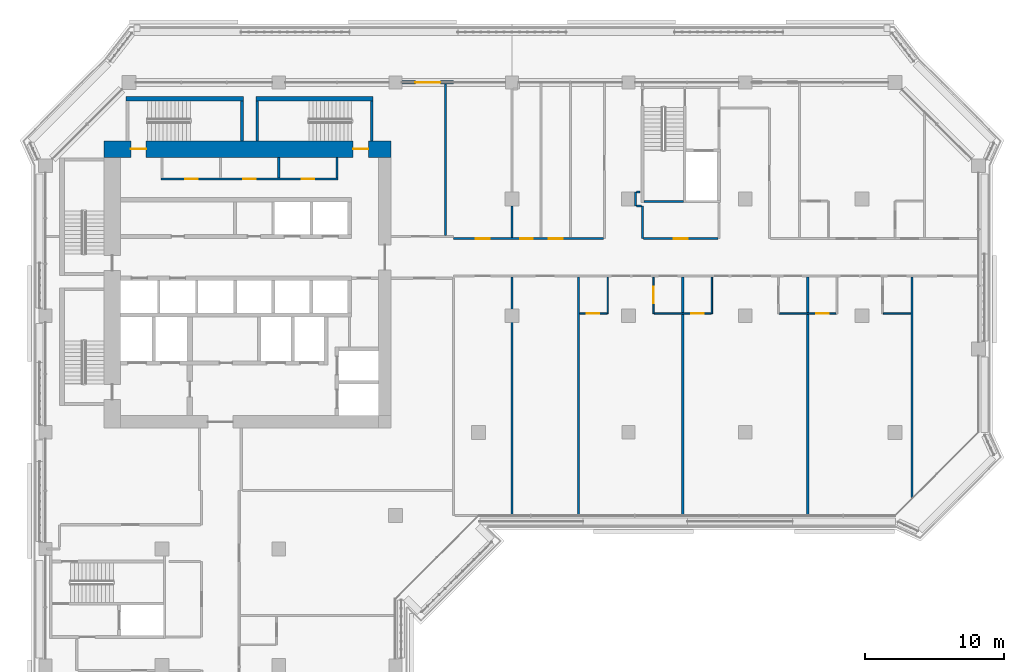
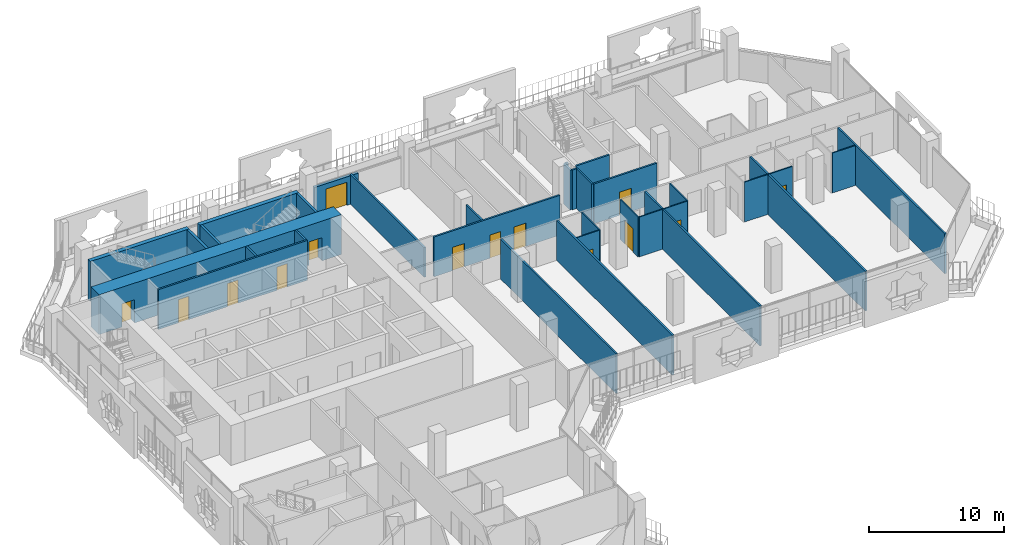
# One storey, part 12 of 22: 31 walls, 14 doors, 14 openings.
"""IFC4 building model written with IfcOpenShell, lengths in metres."""

from ifc_helpers import new_model, si_unit, direction, frame, frame_2d, origin, place, context, subcontext, project, spatial, rectangle, extrude, material, layer, layer_set, type_object, element, fill, save


model = new_model("IFC4")

# Units and contexts
model_context = context("Model", 3, precision=1e-05, world=origin(), true_north=direction((0.0, 1.0)))
body_context = subcontext(model_context, "Body", "Model", "MODEL_VIEW")
ifc_project = project(units=[si_unit("LENGTHUNIT", "METRE"), si_unit("AREAUNIT", "SQUARE_METRE"), si_unit("VOLUMEUNIT", "CUBIC_METRE"), si_unit("PLANEANGLEUNIT", "RADIAN"), si_unit("MASSUNIT", "GRAM", prefix="KILO")], contexts=[model_context])

# Site, building, storey
site_placement = place(None, origin())
site = spatial("IfcSite", under=ifc_project, at=site_placement, CompositionType="ELEMENT")
building_placement = place(site_placement, origin())
building = spatial("IfcBuilding", under=site, at=building_placement, Name="Kawkab Arch Medical Tower", CompositionType="ELEMENT")
storey_placement = place(building_placement, frame((0.0, 0.0, 187.800048828125)))
storey = spatial("IfcBuildingStorey", under=building, at=storey_placement, Name="L43", CompositionType="ELEMENT", Elevation=187.800048828125)

# Wall, openings, doors
ifc_material_1 = material(Name="Concrete C55/67", Category="concrete")
ifc_layer_1 = layer(ifc_material_1, 1.199951171875)
ifc_layer_set_1 = layer_set([ifc_layer_1], Name="Concrete C55/67")
wall_type_1 = type_object("IfcWallType", Name="Core ring wall 1200 C55/67", PredefinedType="SHEAR", material=ifc_layer_set_1)
wall_1_placement = place(storey_placement, frame((4.199951171875, -4.800048828125, 0.0), z_axis=(0.0, 0.0, 1.0), x_axis=(1.0, 0.0, 0.0)))
wall_1 = element("IfcWall", 1, at=wall_1_placement, inside=storey, type_object=wall_type_1, Name="L43 core wall", PredefinedType="SHEAR", context=body_context, shape_type="SweptSolid", body=[
    extrude(rectangle(XDim=20.699951171875, YDim=1.199951171875, at=frame_2d((10.35009765625, 0.0))), origin(), (0.0, 0.0, 1.0), 3.599853515625),
])
opening_1_placement = place(wall_1_placement, frame((1.949951171875, 0.0, 0.0)))
opening_1 = element("IfcOpeningElement", 2, at=opening_1_placement, cuts=wall_1, Name="Opening SD", PredefinedType="OPENING", context=body_context, shape_type="SweptSolid", body=[
    extrude(rectangle(XDim=1.10009765625, YDim=2.10009765625, at=frame_2d((0.550048828125, 1.050048828125))), frame((0.0, 0.60986328125, 0.0), z_axis=(0.0, -1.0, 0.0), x_axis=(1.0, 0.0, 0.0)), (0.0, 0.0, 1.0), 1.219970703125),
])
opening_2_placement = place(wall_1_placement, frame((17.949951171875, 0.0, 0.0)))
opening_2 = element("IfcOpeningElement", 3, at=opening_2_placement, cuts=wall_1, Name="Opening SD", PredefinedType="OPENING", context=body_context, shape_type="SweptSolid", body=[
    extrude(rectangle(XDim=1.10009765625, YDim=2.10009765625, at=frame_2d((0.550048828125, 1.050048828125))), frame((0.0, 0.60986328125, 0.0), z_axis=(0.0, -1.0, 0.0), x_axis=(1.0, 0.0, 0.0)), (0.0, 0.0, 1.0), 1.219970703125),
])
ifc_material_2 = material(Name="Hollow metal fire door leaf")
door_type_1 = type_object("IfcDoorType", Name="Exit stair door 1100", OperationType="SINGLE_SWING_LEFT", PredefinedType="DOOR", material=ifc_material_2)
door_1_placement = place(opening_1_placement, origin())
door_1 = element("IfcDoor", 4, at=door_1_placement, inside=storey, type_object=door_type_1, Name="L43 Exit stair ST3 door", OperationType="SINGLE_SWING_LEFT", OverallHeight=2.10009765625, OverallWidth=1.10009765625, PredefinedType="DOOR", context=body_context, shape_type="SweptSolid", body=[
    extrude(rectangle(XDim=1.10009765625, YDim=2.10009765625, at=frame_2d((0.550048828125, 1.050048828125))), frame((0.0, 0.02490234375, 0.0), z_axis=(0.0, -1.0, 0.0), x_axis=(1.0, 0.0, 0.0)), (0.0, 0.0, 1.0), 0.050048828125),
])
fill(opening_1, door_1)
door_2_placement = place(opening_2_placement, origin())
door_2 = element("IfcDoor", 5, at=door_2_placement, inside=storey, type_object=door_type_1, Name="L43 Exit stair ST4 door", OperationType="SINGLE_SWING_LEFT", OverallHeight=2.10009765625, OverallWidth=1.10009765625, PredefinedType="DOOR", context=body_context, shape_type="SweptSolid", body=[
    extrude(rectangle(XDim=1.10009765625, YDim=2.10009765625, at=frame_2d((0.550048828125, 1.050048828125))), frame((0.0, 0.02490234375, 0.0), z_axis=(0.0, -1.0, 0.0), x_axis=(1.0, 0.0, 0.0)), (0.0, 0.0, 1.0), 0.050048828125),
])
fill(opening_2, door_2)

ifc_material_3 = material(Name="Gypsum board on steel studs", Category="steel")
ifc_layer_2 = layer(ifc_material_3, 0.14990234375)
ifc_layer_set_2 = layer_set([ifc_layer_2], Name="Gypsum board on steel studs")
wall_type_2 = type_object("IfcWallType", Name="Core room partition 150", PredefinedType="PARTITIONING", material=ifc_layer_set_2)
wall_2_placement = place(storey_placement, frame((8.324951171875, -6.949951171875, 0.0), z_axis=(0.0, 0.0, 1.0), x_axis=(1.0, 0.0, 0.0)))
wall_2 = element("IfcWall", 6, at=wall_2_placement, inside=storey, type_object=wall_type_2, Name="L43 core room partition", PredefinedType="PARTITIONING", context=body_context, shape_type="SweptSolid", body=[
    extrude(rectangle(XDim=12.75, YDim=0.14990234375, at=frame_2d((6.375, 0.0))), origin(), (0.0, 0.0, 1.0), 3.599853515625),
])
opening_3_placement = place(wall_2_placement, frame((1.72509765625, 0.0, 0.0)))
opening_3 = element("IfcOpeningElement", 7, at=opening_3_placement, cuts=wall_2, Name="Opening RD", PredefinedType="OPENING", context=body_context, shape_type="SweptSolid", body=[
    extrude(rectangle(XDim=0.89990234375, YDim=2.10009765625, at=frame_2d((0.449951171875, 1.050048828125))), frame((0.0, 0.0849609375, 0.0), z_axis=(0.0, -1.0, 0.0), x_axis=(1.0, 0.0, 0.0)), (0.0, 0.0, 1.0), 0.169921875),
])
opening_4_placement = place(wall_2_placement, frame((5.925048828125, 0.0, 0.0)))
opening_4 = element("IfcOpeningElement", 8, at=opening_4_placement, cuts=wall_2, Name="Opening RD", PredefinedType="OPENING", context=body_context, shape_type="SweptSolid", body=[
    extrude(rectangle(XDim=0.89990234375, YDim=2.10009765625, at=frame_2d((0.449951171875, 1.050048828125))), frame((0.0, 0.0849609375, 0.0), z_axis=(0.0, -1.0, 0.0), x_axis=(1.0, 0.0, 0.0)), (0.0, 0.0, 1.0), 0.169921875),
])
opening_5_placement = place(wall_2_placement, frame((10.125, 0.0, 0.0)))
opening_5 = element("IfcOpeningElement", 9, at=opening_5_placement, cuts=wall_2, Name="Opening RD", PredefinedType="OPENING", context=body_context, shape_type="SweptSolid", body=[
    extrude(rectangle(XDim=0.89990234375, YDim=2.10009765625, at=frame_2d((0.449951171875, 1.050048828125))), frame((0.0, 0.0849609375, 0.0), z_axis=(0.0, -1.0, 0.0), x_axis=(1.0, 0.0, 0.0)), (0.0, 0.0, 1.0), 0.169921875),
])
ifc_material_4 = material(Name="Hollow metal fire door leaf")
door_type_2 = type_object("IfcDoorType", Name="Core room door 900", OperationType="SINGLE_SWING_LEFT", PredefinedType="DOOR", material=ifc_material_4)
door_3_placement = place(opening_3_placement, origin())
door_3 = element("IfcDoor", 10, at=door_3_placement, inside=storey, type_object=door_type_2, Name="L43 Electrical riser room door", OperationType="SINGLE_SWING_LEFT", OverallHeight=2.10009765625, OverallWidth=0.89990234375, PredefinedType="DOOR", context=body_context, shape_type="SweptSolid", body=[
    extrude(rectangle(XDim=0.89990234375, YDim=2.10009765625, at=frame_2d((0.449951171875, 1.050048828125))), frame((0.0, 0.02490234375, 0.0), z_axis=(0.0, -1.0, 0.0), x_axis=(1.0, 0.0, 0.0)), (0.0, 0.0, 1.0), 0.050048828125),
])
fill(opening_3, door_3)
door_4_placement = place(opening_4_placement, origin())
door_4 = element("IfcDoor", 11, at=door_4_placement, inside=storey, type_object=door_type_2, Name="L43 Equipment store door", OperationType="SINGLE_SWING_LEFT", OverallHeight=2.10009765625, OverallWidth=0.89990234375, PredefinedType="DOOR", context=body_context, shape_type="SweptSolid", body=[
    extrude(rectangle(XDim=0.89990234375, YDim=2.10009765625, at=frame_2d((0.449951171875, 1.050048828125))), frame((0.0, 0.02490234375, 0.0), z_axis=(0.0, -1.0, 0.0), x_axis=(1.0, 0.0, 0.0)), (0.0, 0.0, 1.0), 0.050048828125),
])
fill(opening_4, door_4)
door_5_placement = place(opening_5_placement, origin())
door_5 = element("IfcDoor", 12, at=door_5_placement, inside=storey, type_object=door_type_2, Name="L43 Sprinkler valve room door", OperationType="SINGLE_SWING_LEFT", OverallHeight=2.10009765625, OverallWidth=0.89990234375, PredefinedType="DOOR", context=body_context, shape_type="SweptSolid", body=[
    extrude(rectangle(XDim=0.89990234375, YDim=2.10009765625, at=frame_2d((0.449951171875, 1.050048828125))), frame((0.0, 0.02490234375, 0.0), z_axis=(0.0, -1.0, 0.0), x_axis=(1.0, 0.0, 0.0)), (0.0, 0.0, 1.0), 0.050048828125),
])
fill(opening_5, door_5)

# Walls
for number, where, z_axis, x_axis, name in (
    (13, (16.800048828125, -6.875, 0.0), (0.0, 0.0, 1.0), (0.0, 1.0, 0.0), "L43 core room partition"),
    (14, (21.0, -6.875, 0.0), (0.0, 0.0, 1.0), (0.0, 1.0, 0.0), "L43 core room partition"),
):
    element("IfcWall", number, at=place(storey_placement, frame(where, z_axis=z_axis, x_axis=x_axis)), inside=storey, type_object=wall_type_2, Name=name, PredefinedType="PARTITIONING", context=body_context, shape_type="SweptSolid", body=[
        extrude(rectangle(XDim=1.47509765625, YDim=0.14990234375, at=frame_2d((0.737548828125, 0.0))), origin(), (0.0, 0.0, 1.0), 3.599853515625),
    ])

# Wall, opening, door
ifc_material_5 = material(Name="Bronze clad insulated wall panel")
ifc_layer_3 = layer(ifc_material_5, 0.25)
ifc_layer_set_3 = layer_set([ifc_layer_3], Name="Bronze clad insulated wall panel")
wall_type_3 = type_object("IfcWallType", Name="External wall bay 250", PredefinedType="SOLIDWALL", material=ifc_layer_set_3)
wall_3_placement = place(storey_placement, frame((29.39990234375, 0.0, 0.0), z_axis=(0.0, 0.0, 1.0), x_axis=(-1.0, 0.0, 0.0)))
wall_3 = element("IfcWall", 15, at=wall_3_placement, inside=storey, type_object=wall_type_3, Name="External wall bay L43.R11.4.2", PredefinedType="SOLIDWALL", context=body_context, shape_type="SweptSolid", body=[
    extrude(rectangle(XDim=3.724853515625, YDim=0.25, at=frame_2d((1.8623046875, 0.0))), origin(), (0.0, 0.0, 1.0), 2.579833984375),
])
opening_6_placement = place(wall_3_placement, frame((0.96240234375, 0.0, 0.0)))
opening_6 = element("IfcOpeningElement", 16, at=opening_6_placement, cuts=wall_3, Name="Opening W43-701", PredefinedType="OPENING", context=body_context, shape_type="SweptSolid", body=[
    extrude(rectangle(XDim=1.800048828125, YDim=2.10009765625, at=frame_2d((0.89990234375, 1.050048828125))), frame((0.0, 0.135009765625, 0.0), z_axis=(0.0, -1.0, 0.0), x_axis=(1.0, 0.0, 0.0)), (0.0, 0.0, 1.0), 0.27001953125),
])
ifc_material_6 = material(Name="Bronze anodised aluminium door with tinted glass", Category="aluminium")
door_type_3 = type_object("IfcDoorType", Name="Double external door 1800 x 2100", OperationType="DOUBLE_DOOR_SINGLE_SWING", PredefinedType="DOOR", material=ifc_material_6)
door_6_placement = place(opening_6_placement, origin())
door_6 = element("IfcDoor", 17, at=door_6_placement, inside=storey, type_object=door_type_3, Name="External door L43.R11.4.2", OperationType="DOUBLE_DOOR_SINGLE_SWING", OverallHeight=2.10009765625, OverallWidth=1.800048828125, PredefinedType="DOOR", context=body_context, shape_type="SweptSolid", body=[
    extrude(rectangle(XDim=1.800048828125, YDim=2.10009765625, at=frame_2d((0.89990234375, 1.050048828125))), frame((0.0, 0.02490234375, 0.0), z_axis=(0.0, -1.0, 0.0), x_axis=(1.0, 0.0, 0.0)), (0.0, 0.0, 1.0), 0.050048828125),
])
fill(opening_6, door_6)

ifc_material_7 = material(Name="Gypsum board partition on steel studs", Category="steel")
ifc_layer_4 = layer(ifc_material_7, 0.10009765625)
ifc_layer_set_4 = layer_set([ifc_layer_4], Name="Gypsum board partition on steel studs")
wall_type_4 = type_object("IfcWallType", Name="Partition 100", PredefinedType="PARTITIONING", material=ifc_layer_set_4)
wall_4_placement = place(storey_placement, frame((38.47509765625, -16.64990234375, 0.0), z_axis=(0.0, 0.0, 1.0), x_axis=(1.0, 0.0, 0.0)))
wall_4 = element("IfcWall", 18, at=wall_4_placement, inside=storey, type_object=wall_type_4, Name="Partition 100 w004", PredefinedType="PARTITIONING", context=body_context, shape_type="SweptSolid", body=[
    extrude(rectangle(XDim=1.974853515625, YDim=0.10009765625, at=frame_2d((0.9873046875, 0.0))), origin(), (0.0, 0.0, 1.0), 3.599853515625),
])
opening_7_placement = place(wall_4_placement, frame((0.52490234375, 0.0, 0.0)))
opening_7 = element("IfcOpeningElement", 19, at=opening_7_placement, cuts=wall_4, Name="Opening W43-004", PredefinedType="OPENING", context=body_context, shape_type="SweptSolid", body=[
    extrude(rectangle(XDim=0.89990234375, YDim=2.10009765625, at=frame_2d((0.449951171875, 1.050048828125))), frame((0.0, 0.06005859375, 0.0), z_axis=(0.0, -1.0, 0.0), x_axis=(1.0, 0.0, 0.0)), (0.0, 0.0, 1.0), 0.1201171875),
])
ifc_material_8 = material(Name="Timber door leaf", Category="wood")
door_type_4 = type_object("IfcDoorType", Name="Single door 900x2100", OperationType="NOTDEFINED", PredefinedType="DOOR", material=ifc_material_8)
door_7_placement = place(opening_7_placement, origin())
door_7 = element("IfcDoor", 20, at=door_7_placement, inside=storey, type_object=door_type_4, Name="Door W43-004", OperationType="SINGLE_SWING_LEFT", OverallHeight=2.10009765625, OverallWidth=0.89990234375, PredefinedType="DOOR", context=body_context, shape_type="SweptSolid", body=[
    extrude(rectangle(XDim=0.89990234375, YDim=2.10009765625, at=frame_2d((0.449951171875, 1.050048828125))), frame((0.0, 0.02490234375, 0.0), z_axis=(0.0, -1.0, 0.0), x_axis=(1.0, 0.0, 0.0)), (0.0, 0.0, 1.0), 0.050048828125),
])
fill(opening_7, door_7)

wall_5_placement = place(storey_placement, frame((43.85009765625, -16.64990234375, 0.0), z_axis=(0.0, 0.0, 1.0), x_axis=(1.0, 0.0, 0.0)))
wall_5 = element("IfcWall", 21, at=wall_5_placement, inside=storey, type_object=wall_type_4, Name="Partition 100 w005", PredefinedType="PARTITIONING", context=body_context, shape_type="SweptSolid", body=[
    extrude(rectangle(XDim=4.099853515625, YDim=0.10009765625, at=frame_2d((2.0498046875, 0.0))), origin(), (0.0, 0.0, 1.0), 3.599853515625),
])
opening_8_placement = place(wall_5_placement, frame((2.64990234375, 0.0, 0.0)))
opening_8 = element("IfcOpeningElement", 22, at=opening_8_placement, cuts=wall_5, Name="Opening W43-005", PredefinedType="OPENING", context=body_context, shape_type="SweptSolid", body=[
    extrude(rectangle(XDim=0.89990234375, YDim=2.10009765625, at=frame_2d((0.449951171875, 1.050048828125))), frame((0.0, 0.06005859375, 0.0), z_axis=(0.0, -1.0, 0.0), x_axis=(1.0, 0.0, 0.0)), (0.0, 0.0, 1.0), 0.1201171875),
])
door_8_placement = place(opening_8_placement, origin())
door_8 = element("IfcDoor", 23, at=door_8_placement, inside=storey, type_object=door_type_4, Name="Door W43-005", OperationType="SINGLE_SWING_LEFT", OverallHeight=2.10009765625, OverallWidth=0.89990234375, PredefinedType="DOOR", context=body_context, shape_type="SweptSolid", body=[
    extrude(rectangle(XDim=0.89990234375, YDim=2.10009765625, at=frame_2d((0.449951171875, 1.050048828125))), frame((0.0, 0.02490234375, 0.0), z_axis=(0.0, -1.0, 0.0), x_axis=(1.0, 0.0, 0.0)), (0.0, 0.0, 1.0), 0.050048828125),
])
fill(opening_8, door_8)

wall_6_placement = place(storey_placement, frame((52.85009765625, -16.64990234375, 0.0), z_axis=(0.0, 0.0, 1.0), x_axis=(1.0, 0.0, 0.0)))
wall_6 = element("IfcWall", 24, at=wall_6_placement, inside=storey, type_object=wall_type_4, Name="Partition 100 w006", PredefinedType="PARTITIONING", context=body_context, shape_type="SweptSolid", body=[
    extrude(rectangle(XDim=4.099853515625, YDim=0.10009765625, at=frame_2d((2.0498046875, 0.0))), origin(), (0.0, 0.0, 1.0), 3.599853515625),
])
opening_9_placement = place(wall_6_placement, frame((2.64990234375, 0.0, 0.0)))
opening_9 = element("IfcOpeningElement", 25, at=opening_9_placement, cuts=wall_6, Name="Opening W43-006", PredefinedType="OPENING", context=body_context, shape_type="SweptSolid", body=[
    extrude(rectangle(XDim=0.89990234375, YDim=2.10009765625, at=frame_2d((0.449951171875, 1.050048828125))), frame((0.0, 0.06005859375, 0.0), z_axis=(0.0, -1.0, 0.0), x_axis=(1.0, 0.0, 0.0)), (0.0, 0.0, 1.0), 0.1201171875),
])
door_9_placement = place(opening_9_placement, origin())
door_9 = element("IfcDoor", 26, at=door_9_placement, inside=storey, type_object=door_type_4, Name="Door W43-006", OperationType="SINGLE_SWING_LEFT", OverallHeight=2.10009765625, OverallWidth=0.89990234375, PredefinedType="DOOR", context=body_context, shape_type="SweptSolid", body=[
    extrude(rectangle(XDim=0.89990234375, YDim=2.10009765625, at=frame_2d((0.449951171875, 1.050048828125))), frame((0.0, 0.02490234375, 0.0), z_axis=(0.0, -1.0, 0.0), x_axis=(1.0, 0.0, 0.0)), (0.0, 0.0, 1.0), 0.050048828125),
])
fill(opening_9, door_9)

# Walls
wall_7_placement = place(storey_placement, frame((60.35009765625, -16.64990234375, 0.0), z_axis=(0.0, 0.0, 1.0), x_axis=(1.0, 0.0, 0.0)))
element("IfcWall", 27, at=wall_7_placement, inside=storey, type_object=wall_type_4, Name="Partition 100 w007", PredefinedType="PARTITIONING", context=body_context, shape_type="SweptSolid", body=[
    extrude(rectangle(XDim=1.974853515625, YDim=0.10009765625, at=frame_2d((0.9873046875, 0.0))), origin(), (0.0, 0.0, 1.0), 3.599853515625),
])
wall_8_placement = place(storey_placement, frame((40.5, -16.64990234375, 0.0), z_axis=(0.0, 0.0, 1.0), x_axis=(0.0, 1.0, 0.0)))
element("IfcWall", 28, at=wall_8_placement, inside=storey, type_object=wall_type_4, Name="Partition 100 w013", PredefinedType="PARTITIONING", context=body_context, shape_type="SweptSolid", body=[
    extrude(rectangle(XDim=2.625, YDim=0.10009765625, at=frame_2d((1.3125, 0.0))), origin(), (0.0, 0.0, 1.0), 3.599853515625),
])

# Wall, opening, door
wall_9_placement = place(storey_placement, frame((43.800048828125, -16.64990234375, 0.0), z_axis=(0.0, 0.0, 1.0), x_axis=(0.0, 1.0, 0.0)))
wall_9 = element("IfcWall", 29, at=wall_9_placement, inside=storey, type_object=wall_type_4, Name="Partition 100 w014", PredefinedType="PARTITIONING", context=body_context, shape_type="SweptSolid", body=[
    extrude(rectangle(XDim=2.625, YDim=0.10009765625, at=frame_2d((1.3125, 0.0))), origin(), (0.0, 0.0, 1.0), 3.599853515625),
])
opening_10_placement = place(wall_9_placement, frame((0.75, 0.0, 0.0)))
opening_10 = element("IfcOpeningElement", 30, at=opening_10_placement, cuts=wall_9, Name="Opening W43-031", PredefinedType="OPENING", context=body_context, shape_type="SweptSolid", body=[
    extrude(rectangle(XDim=1.199951171875, YDim=2.10009765625, at=frame_2d((0.60009765625, 1.050048828125))), frame((0.0, 0.06005859375, 0.0), z_axis=(0.0, -1.0, 0.0), x_axis=(1.0, 0.0, 0.0)), (0.0, 0.0, 1.0), 0.1201171875),
])
ifc_material_9 = material(Name="Timber door leaf", Category="wood")
door_type_5 = type_object("IfcDoorType", Name="Single door 1200x2100", OperationType="NOTDEFINED", PredefinedType="DOOR", material=ifc_material_9)
door_10_placement = place(opening_10_placement, origin())
door_10 = element("IfcDoor", 31, at=door_10_placement, inside=storey, type_object=door_type_5, Name="Door W43-031", OperationType="SINGLE_SWING_LEFT", OverallHeight=2.10009765625, OverallWidth=1.199951171875, PredefinedType="DOOR", context=body_context, shape_type="SweptSolid", body=[
    extrude(rectangle(XDim=1.199951171875, YDim=2.10009765625, at=frame_2d((0.60009765625, 1.050048828125))), frame((0.0, 0.02490234375, 0.0), z_axis=(0.0, -1.0, 0.0), x_axis=(1.0, 0.0, 0.0)), (0.0, 0.0, 1.0), 0.050048828125),
])
fill(opening_10, door_10)

# Wall
wall_10_placement = place(storey_placement, frame((48.0, -16.64990234375, 0.0), z_axis=(0.0, 0.0, 1.0), x_axis=(0.0, 1.0, 0.0)))
element("IfcWall", 32, at=wall_10_placement, inside=storey, type_object=wall_type_4, Name="Partition 100 w015", PredefinedType="PARTITIONING", context=body_context, shape_type="SweptSolid", body=[
    extrude(rectangle(XDim=2.625, YDim=0.10009765625, at=frame_2d((1.3125, 0.0))), origin(), (0.0, 0.0, 1.0), 3.599853515625),
])

# Wall, openings, doors
ifc_material_10 = material(Name="Gypsum board partition on steel studs, mineral wool", Category="steel")
ifc_layer_5 = layer(ifc_material_10, 0.14990234375)
ifc_layer_set_5 = layer_set([ifc_layer_5], Name="Gypsum board partition on steel studs, mineral wool")
wall_type_5 = type_object("IfcWallType", Name="Partition 150", PredefinedType="PARTITIONING", material=ifc_layer_set_5)
wall_11_placement = place(storey_placement, frame((29.39990234375, -11.25, 0.0), z_axis=(0.0, 0.0, 1.0), x_axis=(1.0, 0.0, 0.0)))
wall_11 = element("IfcWall", 33, at=wall_11_placement, inside=storey, type_object=wall_type_5, Name="Partition 150 w034", PredefinedType="PARTITIONING", context=body_context, shape_type="SweptSolid", body=[
    extrude(rectangle(XDim=10.781982421875, YDim=0.14990234375, at=frame_2d((5.39111328125, 0.0))), origin(), (0.0, 0.0, 1.0), 3.599853515625),
])
opening_11_placement = place(wall_11_placement, frame((1.60009765625, 0.0, 0.0)))
opening_11 = element("IfcOpeningElement", 34, at=opening_11_placement, cuts=wall_11, Name="Opening W43-012", PredefinedType="OPENING", context=body_context, shape_type="SweptSolid", body=[
    extrude(rectangle(XDim=1.0, YDim=2.10009765625, at=frame_2d((0.5, 1.050048828125))), frame((0.0, 0.0849609375, 0.0), z_axis=(0.0, -1.0, 0.0), x_axis=(1.0, 0.0, 0.0)), (0.0, 0.0, 1.0), 0.169921875),
])
opening_12_placement = place(wall_11_placement, frame((4.800048828125, 0.0, 0.0)))
opening_12 = element("IfcOpeningElement", 35, at=opening_12_placement, cuts=wall_11, Name="Opening W43-009", PredefinedType="OPENING", context=body_context, shape_type="SweptSolid", body=[
    extrude(rectangle(XDim=0.89990234375, YDim=2.10009765625, at=frame_2d((0.449951171875, 1.050048828125))), frame((0.0, 0.0849609375, 0.0), z_axis=(0.0, -1.0, 0.0), x_axis=(1.0, 0.0, 0.0)), (0.0, 0.0, 1.0), 0.169921875),
])
opening_13_placement = place(wall_11_placement, frame((6.85009765625, 0.0, 0.0)))
opening_13 = element("IfcOpeningElement", 36, at=opening_13_placement, cuts=wall_11, Name="Opening W43-011", PredefinedType="OPENING", context=body_context, shape_type="SweptSolid", body=[
    extrude(rectangle(XDim=1.0, YDim=2.10009765625, at=frame_2d((0.5, 1.050048828125))), frame((0.0, 0.0849609375, 0.0), z_axis=(0.0, -1.0, 0.0), x_axis=(1.0, 0.0, 0.0)), (0.0, 0.0, 1.0), 0.169921875),
])
ifc_material_11 = material(Name="Timber door leaf", Category="wood")
door_type_6 = type_object("IfcDoorType", Name="Single door 1000x2100", OperationType="NOTDEFINED", PredefinedType="DOOR", material=ifc_material_11)
door_11_placement = place(opening_13_placement, origin())
door_11 = element("IfcDoor", 37, at=door_11_placement, inside=storey, type_object=door_type_6, Name="Door W43-011", OperationType="SINGLE_SWING_RIGHT", OverallHeight=2.10009765625, OverallWidth=1.0, PredefinedType="DOOR", context=body_context, shape_type="SweptSolid", body=[
    extrude(rectangle(XDim=1.0, YDim=2.10009765625, at=frame_2d((0.5, 1.050048828125))), frame((0.0, 0.02490234375, 0.0), z_axis=(0.0, -1.0, 0.0), x_axis=(1.0, 0.0, 0.0)), (0.0, 0.0, 1.0), 0.050048828125),
])
fill(opening_13, door_11)
ifc_material_12 = material(Name="Hollow metal door leaf")
door_type_7 = type_object("IfcDoorType", Name="Single door 1000x2100 FD30S", OperationType="NOTDEFINED", PredefinedType="DOOR", material=ifc_material_12)
door_12_placement = place(opening_11_placement, origin())
door_12 = element("IfcDoor", 38, at=door_12_placement, inside=storey, type_object=door_type_7, Name="Door W43-012", OperationType="SINGLE_SWING_LEFT", OverallHeight=2.10009765625, OverallWidth=1.0, PredefinedType="DOOR", context=body_context, shape_type="SweptSolid", body=[
    extrude(rectangle(XDim=1.0, YDim=2.10009765625, at=frame_2d((0.5, 1.050048828125))), frame((0.0, 0.02490234375, 0.0), z_axis=(0.0, -1.0, 0.0), x_axis=(1.0, 0.0, 0.0)), (0.0, 0.0, 1.0), 0.050048828125),
])
fill(opening_11, door_12)
door_13_placement = place(opening_12_placement, origin())
door_13 = element("IfcDoor", 39, at=door_13_placement, inside=storey, type_object=door_type_4, Name="Door W43-009", OperationType="SINGLE_SWING_RIGHT", OverallHeight=2.10009765625, OverallWidth=0.89990234375, PredefinedType="DOOR", context=body_context, shape_type="SweptSolid", body=[
    extrude(rectangle(XDim=0.89990234375, YDim=2.10009765625, at=frame_2d((0.449951171875, 1.050048828125))), frame((0.0, 0.02490234375, 0.0), z_axis=(0.0, -1.0, 0.0), x_axis=(1.0, 0.0, 0.0)), (0.0, 0.0, 1.0), 0.050048828125),
])
fill(opening_12, door_13)

# Wall, opening, door
wall_12_placement = place(storey_placement, frame((43.074951171875, -11.25, 0.0), z_axis=(0.0, 0.0, 1.0), x_axis=(1.0, 0.0, 0.0)))
wall_12 = element("IfcWall", 40, at=wall_12_placement, inside=storey, type_object=wall_type_5, Name="Partition 150 w035", PredefinedType="PARTITIONING", context=body_context, shape_type="SweptSolid", body=[
    extrude(rectangle(XDim=5.375, YDim=0.14990234375, at=frame_2d((2.6875, 0.0))), origin(), (0.0, 0.0, 1.0), 3.599853515625),
])
opening_14_placement = place(wall_12_placement, frame((2.18798828125, 0.0, 0.0)))
opening_14 = element("IfcOpeningElement", 41, at=opening_14_placement, cuts=wall_12, Name="Opening W43-013", PredefinedType="OPENING", context=body_context, shape_type="SweptSolid", body=[
    extrude(rectangle(XDim=1.0, YDim=2.10009765625, at=frame_2d((0.5, 1.050048828125))), frame((0.0, 0.0849609375, 0.0), z_axis=(0.0, -1.0, 0.0), x_axis=(1.0, 0.0, 0.0)), (0.0, 0.0, 1.0), 0.169921875),
])
door_14_placement = place(opening_14_placement, origin())
door_14 = element("IfcDoor", 42, at=door_14_placement, inside=storey, type_object=door_type_7, Name="Door W43-013", OperationType="SINGLE_SWING_RIGHT", OverallHeight=2.10009765625, OverallWidth=1.0, PredefinedType="DOOR", context=body_context, shape_type="SweptSolid", body=[
    extrude(rectangle(XDim=1.0, YDim=2.10009765625, at=frame_2d((0.5, 1.050048828125))), frame((0.0, 0.02490234375, 0.0), z_axis=(0.0, -1.0, 0.0), x_axis=(1.0, 0.0, 0.0)), (0.0, 0.0, 1.0), 0.050048828125),
])
fill(opening_14, door_14)

# Walls
wall_13_placement = place(storey_placement, frame((42.576904296875, -8.89990234375, 0.0), z_axis=(0.0, 0.0, 1.0), x_axis=(1.0, 0.0, 0.0)))
element("IfcWall", 43, at=wall_13_placement, inside=storey, type_object=wall_type_5, Name="Partition 150 w039", PredefinedType="PARTITIONING", context=body_context, shape_type="SweptSolid", body=[
    extrude(rectangle(XDim=0.34619140625, YDim=0.14990234375, at=frame_2d((0.173095703125, 0.0))), origin(), (0.0, 0.0, 1.0), 3.599853515625),
])
wall_14_placement = place(storey_placement, frame((42.576904296875, -7.89990234375, 0.0), z_axis=(0.0, 0.0, 1.0), x_axis=(1.0, 0.0, 0.0)))
element("IfcWall", 44, at=wall_14_placement, inside=storey, type_object=wall_type_5, Name="Partition 150 w040", PredefinedType="PARTITIONING", context=body_context, shape_type="SweptSolid", body=[
    extrude(rectangle(XDim=0.2431640625, YDim=0.14990234375, at=frame_2d((0.12158203125, 0.0))), origin(), (0.0, 0.0, 1.0), 3.599853515625),
])
wall_15_placement = place(storey_placement, frame((28.800048828125, -11.02490234375, 0.0), z_axis=(0.0, 0.0, 1.0), x_axis=(0.0, 1.0, 0.0)))
element("IfcWall", 45, at=wall_15_placement, inside=storey, type_object=wall_type_5, Name="Partition 150 w051", PredefinedType="PARTITIONING", context=body_context, shape_type="SweptSolid", body=[
    extrude(rectangle(XDim=10.94482421875, YDim=0.14990234375, at=frame_2d((5.472412109375, 0.0))), origin(), (0.0, 0.0, 1.0), 2.699951171875),
])
wall_16_placement = place(storey_placement, frame((33.60009765625, -31.1201171875, 0.0), z_axis=(0.0, 0.0, 1.0), x_axis=(0.0, 1.0, 0.0)))
element("IfcWall", 46, at=wall_16_placement, inside=storey, type_object=wall_type_5, Name="Partition 150 w053", PredefinedType="PARTITIONING", context=body_context, shape_type="SweptSolid", body=[
    extrude(rectangle(XDim=17.09521484375, YDim=0.14990234375, at=frame_2d((8.547607421875, 0.0))), origin(), (0.0, 0.0, 1.0), 3.599853515625),
])
wall_17_placement = place(storey_placement, frame((33.60009765625, -11.175048828125, 0.0), z_axis=(0.0, 0.0, 1.0), x_axis=(0.0, 1.0, 0.0)))
element("IfcWall", 47, at=wall_17_placement, inside=storey, type_object=wall_type_5, Name="Partition 150 w054", PredefinedType="PARTITIONING", context=body_context, shape_type="SweptSolid", body=[
    extrude(rectangle(XDim=2.275146484375, YDim=0.14990234375, at=frame_2d((1.1376953125, 0.0))), origin(), (0.0, 0.0, 1.0), 3.599853515625),
])
wall_18_placement = place(storey_placement, frame((38.39990234375, -31.1201171875, 0.0), z_axis=(0.0, 0.0, 1.0), x_axis=(0.0, 1.0, 0.0)))
element("IfcWall", 48, at=wall_18_placement, inside=storey, type_object=wall_type_5, Name="Partition 150 w059", PredefinedType="PARTITIONING", context=body_context, shape_type="SweptSolid", body=[
    extrude(rectangle(XDim=17.09521484375, YDim=0.14990234375, at=frame_2d((8.547607421875, 0.0))), origin(), (0.0, 0.0, 1.0), 3.599853515625),
])
wall_19_placement = place(storey_placement, frame((42.5, -8.89892578125, 0.0), z_axis=(0.0, 0.0, 1.0), x_axis=(0.0, 1.0, 0.0)))
element("IfcWall", 49, at=wall_19_placement, inside=storey, type_object=wall_type_5, Name="Partition 150 w061", PredefinedType="PARTITIONING", context=body_context, shape_type="SweptSolid", body=[
    extrude(rectangle(XDim=0.996826171875, YDim=0.14990234375, at=frame_2d((0.49853515625, 0.0))), origin(), (0.0, 0.0, 1.0), 3.599853515625),
])
wall_20_placement = place(storey_placement, frame((43.0, -11.25, 0.0), z_axis=(0.0, 0.0, 1.0), x_axis=(0.0, 1.0, 0.0)))
element("IfcWall", 50, at=wall_20_placement, inside=storey, type_object=wall_type_5, Name="Partition 150 w062", PredefinedType="PARTITIONING", context=body_context, shape_type="SweptSolid", body=[
    extrude(rectangle(XDim=2.347900390625, YDim=0.14990234375, at=frame_2d((1.173828125, 0.0))), origin(), (0.0, 0.0, 1.0), 3.599853515625),
])
for number, where, z_axis, x_axis, name in (
    (51, (45.89990234375, -31.1201171875, 0.0), (0.0, 0.0, 1.0), (0.0, 1.0, 0.0), "Partition 150 w064"),
    (52, (54.89990234375, -31.1201171875, 0.0), (0.0, 0.0, 1.0), (0.0, 1.0, 0.0), "Partition 150 w068"),
):
    element("IfcWall", number, at=place(storey_placement, frame(where, z_axis=z_axis, x_axis=x_axis)), inside=storey, type_object=wall_type_5, Name=name, PredefinedType="PARTITIONING", context=body_context, shape_type="SweptSolid", body=[
        extrude(rectangle(XDim=17.09521484375, YDim=0.14990234375, at=frame_2d((8.547607421875, 0.0))), origin(), (0.0, 0.0, 1.0), 3.599853515625),
    ])
wall_21_placement = place(storey_placement, frame((62.39990234375, -29.886962890625, 0.0), z_axis=(0.0, 0.0, 1.0), x_axis=(0.0, 1.0, 0.0)))
element("IfcWall", 53, at=wall_21_placement, inside=storey, type_object=wall_type_5, Name="Partition 150 w069", PredefinedType="PARTITIONING", context=body_context, shape_type="SweptSolid", body=[
    extrude(rectangle(XDim=15.862060546875, YDim=0.14990234375, at=frame_2d((7.93115234375, 0.0))), origin(), (0.0, 0.0, 1.0), 3.599853515625),
])
ifc_material_13 = material(Name="Concrete C50/60", Category="concrete")
ifc_layer_6 = layer(ifc_material_13, 0.14990234375)
ifc_layer_set_6 = layer_set([ifc_layer_6], Name="Concrete C50/60")
wall_type_6 = type_object("IfcWallType", Name="Stair enclosure wall 150 C50/60", PredefinedType="SHEAR", material=ifc_layer_set_6)
wall_22_placement = place(storey_placement, frame((43.10009765625, -8.574951171875, 0.0), z_axis=(0.0, 0.0, 1.0), x_axis=(1.0, 0.0, 0.0)))
element("IfcWall", 54, at=wall_22_placement, inside=storey, type_object=wall_type_6, Name="L43 stair enclosure wall", PredefinedType="SHEAR", context=body_context, shape_type="SweptSolid", body=[
    extrude(rectangle(XDim=2.849853515625, YDim=0.14990234375, at=frame_2d((1.4248046875, 0.0))), origin(), (0.0, 0.0, 1.0), 3.599853515625),
])
ifc_material_14 = material(Name="Concrete C50/60", Category="concrete")
ifc_layer_7 = layer(ifc_material_14, 0.199951171875)
ifc_layer_set_7 = layer_set([ifc_layer_7], Name="Concrete C50/60")
wall_type_7 = type_object("IfcWallType", Name="Stair enclosure wall 200 C50/60", PredefinedType="SHEAR", material=ifc_layer_set_7)
for number, where, z_axis, x_axis, name in (
    (55, (14.14990234375, -4.199951171875, 0.0), (0.0, 0.0, 1.0), (0.0, 1.0, 0.0), "L43 stair enclosure wall"),
    (56, (15.25, -4.199951171875, 0.0), (0.0, 0.0, 1.0), (0.0, 1.0, 0.0), "L43 stair enclosure wall"),
    (57, (23.5, -4.199951171875, 0.0), (0.0, 0.0, 1.0), (0.0, 1.0, 0.0), "L43 stair enclosure wall"),
):
    element("IfcWall", number, at=place(storey_placement, frame(where, z_axis=z_axis, x_axis=x_axis)), inside=storey, type_object=wall_type_7, Name=name, PredefinedType="SHEAR", context=body_context, shape_type="SweptSolid", body=[
        extrude(rectangle(XDim=2.849853515625, YDim=0.199951171875, at=frame_2d((1.4248046875, 0.0))), origin(), (0.0, 0.0, 1.0), 3.599853515625),
    ])
ifc_material_15 = material(Name="Concrete C50/60", Category="concrete")
ifc_layer_8 = layer(ifc_material_15, 0.35009765625)
ifc_layer_set_8 = layer_set([ifc_layer_8], Name="Concrete C50/60")
wall_type_8 = type_object("IfcWallType", Name="Stair enclosure wall 350 C50/60", PredefinedType="SHEAR", material=ifc_layer_set_8)
wall_23_placement = place(storey_placement, frame((5.800048828125, -1.175048828125, 0.0), z_axis=(0.0, 0.0, 1.0), x_axis=(1.0, 0.0, 0.0)))
element("IfcWall", 58, at=wall_23_placement, inside=storey, type_object=wall_type_8, Name="L43 stair enclosure wall", PredefinedType="SHEAR", context=body_context, shape_type="SweptSolid", body=[
    extrude(rectangle(XDim=8.449951171875, YDim=0.35009765625, at=frame_2d((4.22509765625, 0.0))), origin(), (0.0, 0.0, 1.0), 3.599853515625),
])
wall_24_placement = place(storey_placement, frame((15.14990234375, -1.175048828125, 0.0), z_axis=(0.0, 0.0, 1.0), x_axis=(1.0, 0.0, 0.0)))
element("IfcWall", 59, at=wall_24_placement, inside=storey, type_object=wall_type_8, Name="L43 stair enclosure wall", PredefinedType="SHEAR", context=body_context, shape_type="SweptSolid", body=[
    extrude(rectangle(XDim=8.4501953125, YDim=0.35009765625, at=frame_2d((4.22509765625, 0.0))), origin(), (0.0, 0.0, 1.0), 3.599853515625),
])

save(model, "model.ifc")
